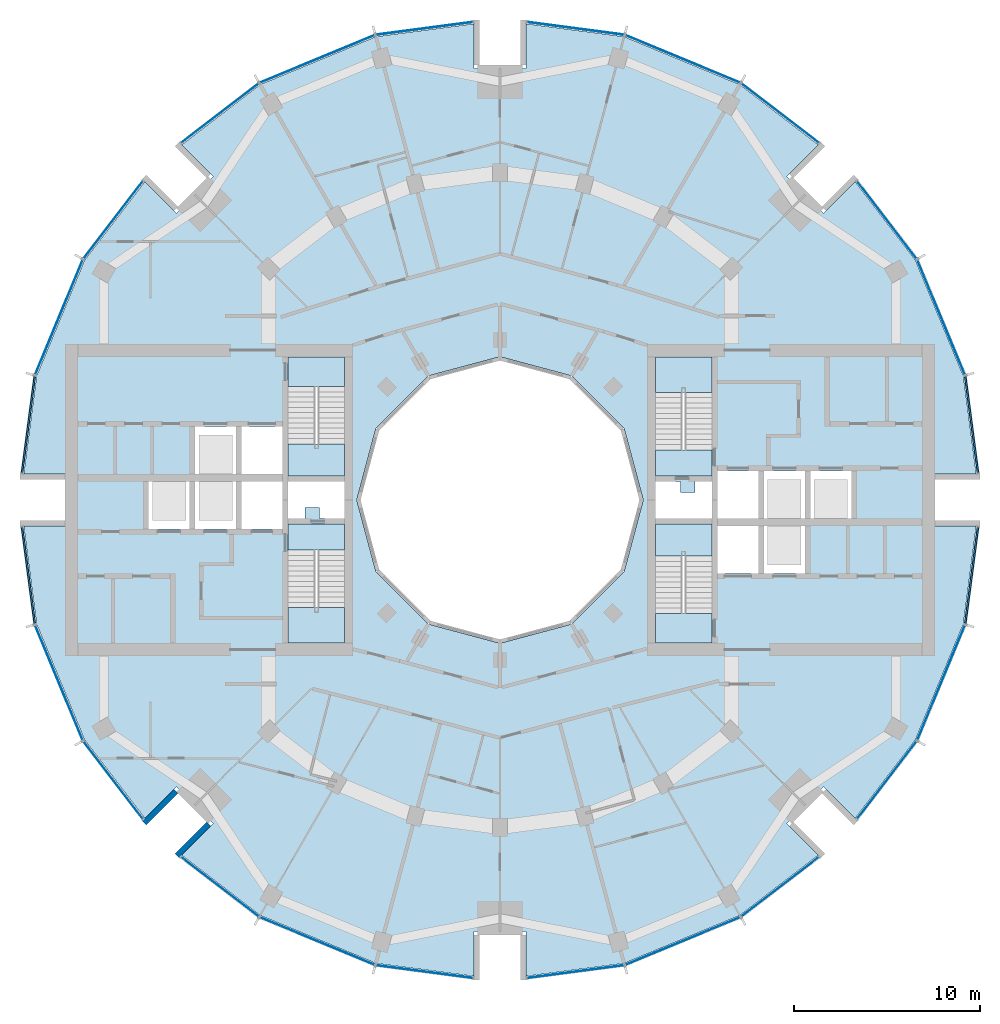
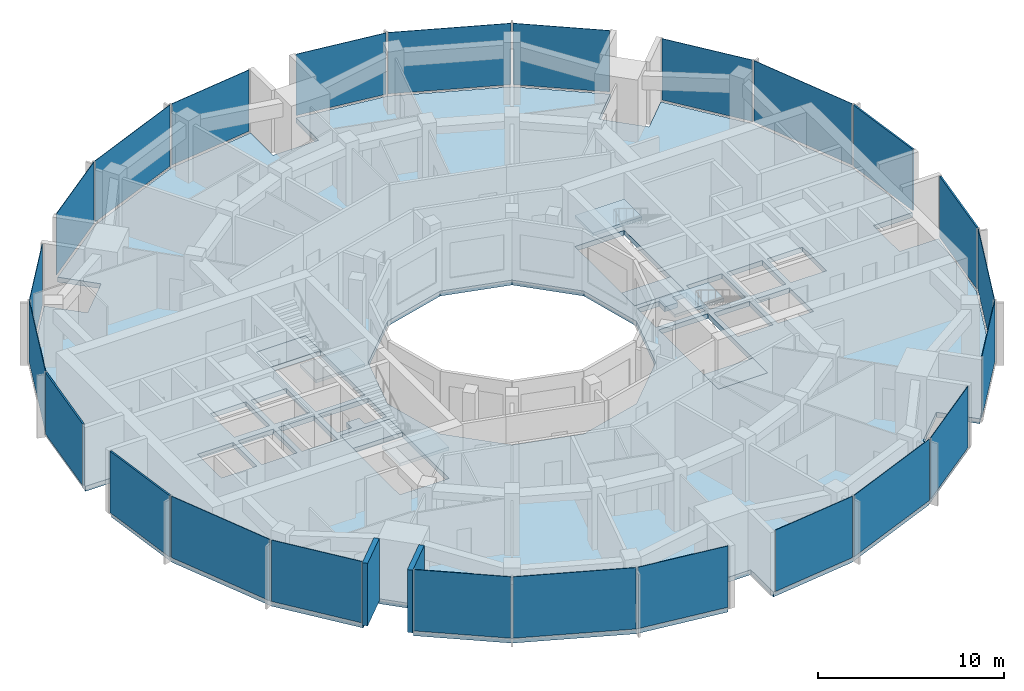
# One storey, part 7 of 15: 24 plates, 9 slabs, 2 walls, 28 elements without a shape of their own.
"""IFC4 building model written with IfcOpenShell, lengths in metres."""

from ifc_helpers import new_model, si_unit, direction, frame, frame_2d, origin, origin_2d, place, context, subcontext, project, spatial, polyline, rectangle, outline, extrude, material, layer, layer_set, type_object, element, aggregate, save


model = new_model("IFC4")

# Units and contexts
model_context = context("Model", 3, precision=1e-05, world=origin(), true_north=direction((0.0, 1.0)))
body_context = subcontext(model_context, "Body", "Model", "MODEL_VIEW")
ifc_project = project(units=[si_unit("LENGTHUNIT", "METRE"), si_unit("AREAUNIT", "SQUARE_METRE"), si_unit("VOLUMEUNIT", "CUBIC_METRE"), si_unit("PLANEANGLEUNIT", "RADIAN"), si_unit("MASSUNIT", "GRAM", prefix="KILO")], contexts=[model_context])

# Site, building, storey
site_placement = place(None, origin())
site = spatial("IfcSite", under=ifc_project, at=site_placement, CompositionType="ELEMENT")
building_placement = place(site_placement, origin())
building = spatial("IfcBuilding", under=site, at=building_placement, Name="Torre Brocal", CompositionType="ELEMENT")
storey_placement = place(building_placement, frame((0.0, 0.0, 186.39990234375)))
storey = spatial("IfcBuildingStorey", under=building, at=storey_placement, Name="L43", CompositionType="ELEMENT", Elevation=186.39990234375)

# Curtain wall, plate
ifc_material_1 = material(Name="Aluminium and glass", Category="aluminium")
ifc_layer_1 = layer(ifc_material_1, 0.199951171875)
ifc_layer_set_1 = layer_set([ifc_layer_1], Name="Aluminium and glass")
curtain_wall_type_1 = type_object("IfcCurtainWallType", Name="CW-1 CURTAIN WALL 4100 HIGH", PredefinedType="NOTDEFINED", material=ifc_layer_set_1)
curtain_wall_1_placement = place(storey_placement, origin())
curtain_wall_1 = element("IfcCurtainWall", 1, at=curtain_wall_1_placement, inside=storey, type_object=curtain_wall_type_1, Name="CW-1 RUN 2", PredefinedType="NOTDEFINED")
ifc_material_2 = material(Name="Glass, dark tinted laminated", Category="glass")
ifc_layer_2 = layer(ifc_material_2, 0.031982421875)
ifc_layer_set_2 = layer_set([ifc_layer_2], Name="Glass, dark tinted laminated")
plate_type_1 = type_object("IfcPlateType", Name="CW-1 GLASS PANEL 32", PredefinedType="CURTAIN_PANEL", material=ifc_layer_set_2)
plate_1_placement = place(storey_placement, frame((103.722900390625, 84.826416015625, 0.080078125), z_axis=(0.0, 0.0, 1.0), x_axis=(-0.382683432333, 0.923879532525, 0.0)))
plate_1 = element("IfcPlate", 2, at=plate_1_placement, type_object=plate_type_1, Name="CW1-4 panel 1.1", PredefinedType="CURTAIN_PANEL", context=body_context, shape_type="SweptSolid", body=[
    extrude(rectangle(XDim=6.64111328125, YDim=0.031982421875, at=origin_2d()), origin(), (0.0, 0.0, 1.0), 4.02001953125),
])
aggregate(curtain_wall_1, [plate_1])

curtain_wall_2_placement = place(storey_placement, origin())
curtain_wall_2 = element("IfcCurtainWall", 3, at=curtain_wall_2_placement, inside=storey, type_object=curtain_wall_type_1, Name="CW-1 RUN 3", PredefinedType="NOTDEFINED")
plate_2_placement = place(storey_placement, frame((100.80126953125, 90.0712890625, 0.080078125), z_axis=(0.0, 0.0, 1.0), x_axis=(-0.60876142905, 0.793353340259, 0.0)))
plate_2 = element("IfcPlate", 4, at=plate_2_placement, type_object=plate_type_1, Name="CW1-4 panel 1.1", PredefinedType="CURTAIN_PANEL", context=body_context, shape_type="SweptSolid", body=[
    extrude(rectangle(XDim=5.22900390625, YDim=0.031982421875, at=origin_2d()), origin(), (0.0, 0.0, 1.0), 4.02001953125),
])
aggregate(curtain_wall_2, [plate_2])

curtain_wall_3_placement = place(storey_placement, origin())
curtain_wall_3 = element("IfcCurtainWall", 5, at=curtain_wall_3_placement, inside=storey, type_object=curtain_wall_type_1, Name="CW-1 RUN 4", PredefinedType="NOTDEFINED")
plate_3_placement = place(storey_placement, frame((95.0712890625, 95.80126953125, 0.080078125), z_axis=(0.0, 0.0, 1.0), x_axis=(-0.793353340259, 0.60876142905, 0.0)))
plate_3 = element("IfcPlate", 6, at=plate_3_placement, type_object=plate_type_1, Name="CW1-4 panel 1.1", PredefinedType="CURTAIN_PANEL", context=body_context, shape_type="SweptSolid", body=[
    extrude(rectangle(XDim=5.22900390625, YDim=0.031982421875, at=origin_2d()), origin(), (0.0, 0.0, 1.0), 4.02001953125),
])
aggregate(curtain_wall_3, [plate_3])

curtain_wall_4_placement = place(storey_placement, origin())
curtain_wall_4 = element("IfcCurtainWall", 7, at=curtain_wall_4_placement, inside=storey, type_object=curtain_wall_type_1, Name="CW-1 RUN 5", PredefinedType="NOTDEFINED")
plate_4_placement = place(storey_placement, frame((89.826416015625, 98.722900390625, 0.080078125), z_axis=(0.0, 0.0, 1.0), x_axis=(-0.923879532525, 0.382683432333, 0.0)))
plate_4 = element("IfcPlate", 8, at=plate_4_placement, type_object=plate_type_1, Name="CW1-4 panel 1.1", PredefinedType="CURTAIN_PANEL", context=body_context, shape_type="SweptSolid", body=[
    extrude(rectangle(XDim=6.64111328125, YDim=0.031982421875, at=origin_2d()), origin(), (0.0, 0.0, 1.0), 4.02001953125),
])
aggregate(curtain_wall_4, [plate_4])

curtain_wall_5_placement = place(storey_placement, origin())
curtain_wall_5 = element("IfcCurtainWall", 9, at=curtain_wall_5_placement, inside=storey, type_object=curtain_wall_type_1, Name="CW-1 RUN 6", PredefinedType="NOTDEFINED")
plate_5_placement = place(storey_placement, frame((84.051513671875, 100.36572265625, 0.080078125), z_axis=(0.0, 0.0, 1.0), x_axis=(-0.991444861374, 0.13052619222, 0.0)))
plate_5 = element("IfcPlate", 10, at=plate_5_placement, type_object=plate_type_1, Name="CW1-4 panel 1.1", PredefinedType="CURTAIN_PANEL", context=body_context, shape_type="SweptSolid", body=[
    extrude(rectangle(XDim=5.22900390625, YDim=0.031982421875, at=origin_2d()), origin(), (0.0, 0.0, 1.0), 4.02001953125),
])
aggregate(curtain_wall_5, [plate_5])

curtain_wall_6_placement = place(storey_placement, origin())
curtain_wall_6 = element("IfcCurtainWall", 11, at=curtain_wall_6_placement, inside=storey, type_object=curtain_wall_type_1, Name="CW-1 RUN 7", PredefinedType="NOTDEFINED")
plate_6_placement = place(storey_placement, frame((75.948486328125, 100.36572265625, 0.080078125), z_axis=(0.0, 0.0, 1.0), x_axis=(-0.991444861374, -0.13052619222, 0.0)))
plate_6 = element("IfcPlate", 12, at=plate_6_placement, type_object=plate_type_1, Name="CW1-4 panel 1.1", PredefinedType="CURTAIN_PANEL", context=body_context, shape_type="SweptSolid", body=[
    extrude(rectangle(XDim=5.22900390625, YDim=0.031982421875, at=origin_2d()), origin(), (0.0, 0.0, 1.0), 4.02001953125),
])
aggregate(curtain_wall_6, [plate_6])

curtain_wall_7_placement = place(storey_placement, origin())
curtain_wall_7 = element("IfcCurtainWall", 13, at=curtain_wall_7_placement, inside=storey, type_object=curtain_wall_type_1, Name="CW-1 RUN 8", PredefinedType="NOTDEFINED")
plate_7_placement = place(storey_placement, frame((70.173583984375, 98.722900390625, 0.080078125), z_axis=(0.0, 0.0, 1.0), x_axis=(-0.923879532525, -0.382683432333, 0.0)))
plate_7 = element("IfcPlate", 14, at=plate_7_placement, type_object=plate_type_1, Name="CW1-4 panel 1.1", PredefinedType="CURTAIN_PANEL", context=body_context, shape_type="SweptSolid", body=[
    extrude(rectangle(XDim=6.64111328125, YDim=0.031982421875, at=origin_2d()), origin(), (0.0, 0.0, 1.0), 4.02001953125),
])
aggregate(curtain_wall_7, [plate_7])

curtain_wall_8_placement = place(storey_placement, origin())
curtain_wall_8 = element("IfcCurtainWall", 15, at=curtain_wall_8_placement, inside=storey, type_object=curtain_wall_type_1, Name="CW-1 RUN 9", PredefinedType="NOTDEFINED")
plate_8_placement = place(storey_placement, frame((64.9287109375, 95.80126953125, 0.080078125), z_axis=(0.0, 0.0, 1.0), x_axis=(-0.793353340259, -0.60876142905, 0.0)))
plate_8 = element("IfcPlate", 16, at=plate_8_placement, type_object=plate_type_1, Name="CW1-4 panel 1.1", PredefinedType="CURTAIN_PANEL", context=body_context, shape_type="SweptSolid", body=[
    extrude(rectangle(XDim=5.22900390625, YDim=0.031982421875, at=origin_2d()), origin(), (0.0, 0.0, 1.0), 4.02001953125),
])
aggregate(curtain_wall_8, [plate_8])

curtain_wall_9_placement = place(storey_placement, origin())
curtain_wall_9 = element("IfcCurtainWall", 17, at=curtain_wall_9_placement, inside=storey, type_object=curtain_wall_type_1, Name="CW-1 RUN 10", PredefinedType="NOTDEFINED")
plate_9_placement = place(storey_placement, frame((59.19873046875, 90.0712890625, 0.080078125), z_axis=(0.0, 0.0, 1.0), x_axis=(-0.60876142905, -0.793353340259, 0.0)))
plate_9 = element("IfcPlate", 18, at=plate_9_placement, type_object=plate_type_1, Name="CW1-4 panel 1.1", PredefinedType="CURTAIN_PANEL", context=body_context, shape_type="SweptSolid", body=[
    extrude(rectangle(XDim=5.22900390625, YDim=0.031982421875, at=origin_2d()), origin(), (0.0, 0.0, 1.0), 4.02001953125),
])
aggregate(curtain_wall_9, [plate_9])

curtain_wall_10_placement = place(storey_placement, origin())
curtain_wall_10 = element("IfcCurtainWall", 19, at=curtain_wall_10_placement, inside=storey, type_object=curtain_wall_type_1, Name="CW-1 RUN 11", PredefinedType="NOTDEFINED")
plate_10_placement = place(storey_placement, frame((56.277099609375, 84.826416015625, 0.080078125), z_axis=(0.0, 0.0, 1.0), x_axis=(-0.382683432333, -0.923879532525, 0.0)))
plate_10 = element("IfcPlate", 20, at=plate_10_placement, type_object=plate_type_1, Name="CW1-4 panel 1.1", PredefinedType="CURTAIN_PANEL", context=body_context, shape_type="SweptSolid", body=[
    extrude(rectangle(XDim=6.64111328125, YDim=0.031982421875, at=origin_2d()), origin(), (0.0, 0.0, 1.0), 4.02001953125),
])
aggregate(curtain_wall_10, [plate_10])

curtain_wall_11_placement = place(storey_placement, origin())
curtain_wall_11 = element("IfcCurtainWall", 21, at=curtain_wall_11_placement, inside=storey, type_object=curtain_wall_type_1, Name="CW-1 RUN 14", PredefinedType="NOTDEFINED")
plate_11_placement = place(storey_placement, frame((56.277099609375, 65.173583984375, 0.080078125), z_axis=(0.0, 0.0, 1.0), x_axis=(0.382683432333, -0.923879532525, 0.0)))
plate_11 = element("IfcPlate", 22, at=plate_11_placement, type_object=plate_type_1, Name="CW1-4 panel 1.1", PredefinedType="CURTAIN_PANEL", context=body_context, shape_type="SweptSolid", body=[
    extrude(rectangle(XDim=6.64111328125, YDim=0.031982421875, at=origin_2d()), origin(), (0.0, 0.0, 1.0), 4.02001953125),
])
aggregate(curtain_wall_11, [plate_11])

curtain_wall_12_placement = place(storey_placement, origin())
curtain_wall_12 = element("IfcCurtainWall", 23, at=curtain_wall_12_placement, inside=storey, type_object=curtain_wall_type_1, Name="CW-1 RUN 15", PredefinedType="NOTDEFINED")
plate_12_placement = place(storey_placement, frame((59.19873046875, 59.9287109375, 0.080078125), z_axis=(0.0, 0.0, 1.0), x_axis=(0.60876142905, -0.793353340259, 0.0)))
plate_12 = element("IfcPlate", 24, at=plate_12_placement, type_object=plate_type_1, Name="CW1-4 panel 1.1", PredefinedType="CURTAIN_PANEL", context=body_context, shape_type="SweptSolid", body=[
    extrude(rectangle(XDim=5.22900390625, YDim=0.031982421875, at=origin_2d()), origin(), (0.0, 0.0, 1.0), 4.02001953125),
])
aggregate(curtain_wall_12, [plate_12])

curtain_wall_13_placement = place(storey_placement, origin())
curtain_wall_13 = element("IfcCurtainWall", 25, at=curtain_wall_13_placement, inside=storey, type_object=curtain_wall_type_1, Name="CW-1 RUN 16", PredefinedType="NOTDEFINED")
plate_13_placement = place(storey_placement, frame((64.9287109375, 54.19873046875, 0.080078125), z_axis=(0.0, 0.0, 1.0), x_axis=(0.793353340259, -0.60876142905, 0.0)))
plate_13 = element("IfcPlate", 26, at=plate_13_placement, type_object=plate_type_1, Name="CW1-4 panel 1.1", PredefinedType="CURTAIN_PANEL", context=body_context, shape_type="SweptSolid", body=[
    extrude(rectangle(XDim=5.22900390625, YDim=0.031982421875, at=origin_2d()), origin(), (0.0, 0.0, 1.0), 4.02001953125),
])
aggregate(curtain_wall_13, [plate_13])

curtain_wall_14_placement = place(storey_placement, origin())
curtain_wall_14 = element("IfcCurtainWall", 27, at=curtain_wall_14_placement, inside=storey, type_object=curtain_wall_type_1, Name="CW-1 RUN 17", PredefinedType="NOTDEFINED")
plate_14_placement = place(storey_placement, frame((70.173583984375, 51.277099609375, 0.080078125), z_axis=(0.0, 0.0, 1.0), x_axis=(0.923879532525, -0.382683432333, 0.0)))
plate_14 = element("IfcPlate", 28, at=plate_14_placement, type_object=plate_type_1, Name="CW1-4 panel 1.1", PredefinedType="CURTAIN_PANEL", context=body_context, shape_type="SweptSolid", body=[
    extrude(rectangle(XDim=6.64111328125, YDim=0.031982421875, at=origin_2d()), origin(), (0.0, 0.0, 1.0), 4.02001953125),
])
aggregate(curtain_wall_14, [plate_14])

curtain_wall_15_placement = place(storey_placement, origin())
curtain_wall_15 = element("IfcCurtainWall", 29, at=curtain_wall_15_placement, inside=storey, type_object=curtain_wall_type_1, Name="CW-1 RUN 18", PredefinedType="NOTDEFINED")
plate_15_placement = place(storey_placement, frame((75.948486328125, 49.63427734375, 0.080078125), z_axis=(0.0, 0.0, 1.0), x_axis=(0.991444861374, -0.13052619222, 0.0)))
plate_15 = element("IfcPlate", 30, at=plate_15_placement, type_object=plate_type_1, Name="CW1-4 panel 1.1", PredefinedType="CURTAIN_PANEL", context=body_context, shape_type="SweptSolid", body=[
    extrude(rectangle(XDim=5.22900390625, YDim=0.031982421875, at=origin_2d()), origin(), (0.0, 0.0, 1.0), 4.02001953125),
])
aggregate(curtain_wall_15, [plate_15])

curtain_wall_16_placement = place(storey_placement, origin())
curtain_wall_16 = element("IfcCurtainWall", 31, at=curtain_wall_16_placement, inside=storey, type_object=curtain_wall_type_1, Name="CW-1 RUN 19", PredefinedType="NOTDEFINED")
plate_16_placement = place(storey_placement, frame((84.051513671875, 49.63427734375, 0.080078125), z_axis=(0.0, 0.0, 1.0), x_axis=(0.991444861374, 0.13052619222, 0.0)))
plate_16 = element("IfcPlate", 32, at=plate_16_placement, type_object=plate_type_1, Name="CW1-4 panel 1.1", PredefinedType="CURTAIN_PANEL", context=body_context, shape_type="SweptSolid", body=[
    extrude(rectangle(XDim=5.22900390625, YDim=0.031982421875, at=origin_2d()), origin(), (0.0, 0.0, 1.0), 4.02001953125),
])
aggregate(curtain_wall_16, [plate_16])

curtain_wall_17_placement = place(storey_placement, origin())
curtain_wall_17 = element("IfcCurtainWall", 33, at=curtain_wall_17_placement, inside=storey, type_object=curtain_wall_type_1, Name="CW-1 RUN 20", PredefinedType="NOTDEFINED")
plate_17_placement = place(storey_placement, frame((89.826416015625, 51.277099609375, 0.080078125), z_axis=(0.0, 0.0, 1.0), x_axis=(0.923879532525, 0.382683432333, 0.0)))
plate_17 = element("IfcPlate", 34, at=plate_17_placement, type_object=plate_type_1, Name="CW1-4 panel 1.1", PredefinedType="CURTAIN_PANEL", context=body_context, shape_type="SweptSolid", body=[
    extrude(rectangle(XDim=6.64111328125, YDim=0.031982421875, at=origin_2d()), origin(), (0.0, 0.0, 1.0), 4.02001953125),
])
aggregate(curtain_wall_17, [plate_17])

curtain_wall_18_placement = place(storey_placement, origin())
curtain_wall_18 = element("IfcCurtainWall", 35, at=curtain_wall_18_placement, inside=storey, type_object=curtain_wall_type_1, Name="CW-1 RUN 21", PredefinedType="NOTDEFINED")
plate_18_placement = place(storey_placement, frame((95.0712890625, 54.19873046875, 0.080078125), z_axis=(0.0, 0.0, 1.0), x_axis=(0.793353340259, 0.60876142905, 0.0)))
plate_18 = element("IfcPlate", 36, at=plate_18_placement, type_object=plate_type_1, Name="CW1-4 panel 1.1", PredefinedType="CURTAIN_PANEL", context=body_context, shape_type="SweptSolid", body=[
    extrude(rectangle(XDim=5.22900390625, YDim=0.031982421875, at=origin_2d()), origin(), (0.0, 0.0, 1.0), 4.02001953125),
])
aggregate(curtain_wall_18, [plate_18])

curtain_wall_19_placement = place(storey_placement, origin())
curtain_wall_19 = element("IfcCurtainWall", 37, at=curtain_wall_19_placement, inside=storey, type_object=curtain_wall_type_1, Name="CW-1 RUN 22", PredefinedType="NOTDEFINED")
plate_19_placement = place(storey_placement, frame((100.80126953125, 59.9287109375, 0.080078125), z_axis=(0.0, 0.0, 1.0), x_axis=(0.60876142905, 0.793353340259, 0.0)))
plate_19 = element("IfcPlate", 38, at=plate_19_placement, type_object=plate_type_1, Name="CW1-4 panel 1.1", PredefinedType="CURTAIN_PANEL", context=body_context, shape_type="SweptSolid", body=[
    extrude(rectangle(XDim=5.22900390625, YDim=0.031982421875, at=origin_2d()), origin(), (0.0, 0.0, 1.0), 4.02001953125),
])
aggregate(curtain_wall_19, [plate_19])

curtain_wall_20_placement = place(storey_placement, origin())
curtain_wall_20 = element("IfcCurtainWall", 39, at=curtain_wall_20_placement, inside=storey, type_object=curtain_wall_type_1, Name="CW-1 RUN 23", PredefinedType="NOTDEFINED")
plate_20_placement = place(storey_placement, frame((103.722900390625, 65.173583984375, 0.080078125), z_axis=(0.0, 0.0, 1.0), x_axis=(0.382683432333, 0.923879532525, 0.0)))
plate_20 = element("IfcPlate", 40, at=plate_20_placement, type_object=plate_type_1, Name="CW1-4 panel 1.1", PredefinedType="CURTAIN_PANEL", context=body_context, shape_type="SweptSolid", body=[
    extrude(rectangle(XDim=6.64111328125, YDim=0.031982421875, at=origin_2d()), origin(), (0.0, 0.0, 1.0), 4.02001953125),
])
aggregate(curtain_wall_20, [plate_20])

ifc_material_3 = material(Name="Aluminium and glass", Category="aluminium")
ifc_layer_3 = layer(ifc_material_3, 0.199951171875)
ifc_layer_set_3 = layer_set([ifc_layer_3], Name="Aluminium and glass")
curtain_wall_type_2 = type_object("IfcCurtainWallType", Name="CW-1B CURTAIN WALL 4100 HIGH", PredefinedType="NOTDEFINED", material=ifc_layer_set_3)
curtain_wall_21_placement = place(storey_placement, origin())
curtain_wall_21 = element("IfcCurtainWall", 41, at=curtain_wall_21_placement, inside=storey, type_object=curtain_wall_type_2, Name="CW-1B RUN 1", PredefinedType="NOTDEFINED")
ifc_material_4 = material(Name="Aluminium composite panel", Category="aluminium")
ifc_layer_4 = layer(ifc_material_4, 0.10009765625)
ifc_layer_set_4 = layer_set([ifc_layer_4], Name="Aluminium composite panel")
plate_type_2 = type_object("IfcPlateType", Name="CW-1B OPAQUE PANEL 100", PredefinedType="CURTAIN_PANEL", material=ifc_layer_set_4)
plate_21_placement = place(storey_placement, frame((105.36572265625, 79.051513671875, 0.080078125), z_axis=(0.0, 0.0, 1.0), x_axis=(-0.13052619222, 0.991444861374, 0.0)))
plate_21 = element("IfcPlate", 42, at=plate_21_placement, type_object=plate_type_2, Name="CW1B-4 panel 1.1", PredefinedType="CURTAIN_PANEL", context=body_context, shape_type="SweptSolid", body=[
    extrude(rectangle(XDim=5.22900390625, YDim=0.10009765625, at=origin_2d()), origin(), (0.0, 0.0, 1.0), 4.02001953125),
])
aggregate(curtain_wall_21, [plate_21])

curtain_wall_22_placement = place(storey_placement, origin())
curtain_wall_22 = element("IfcCurtainWall", 43, at=curtain_wall_22_placement, inside=storey, type_object=curtain_wall_type_2, Name="CW-1B RUN 12", PredefinedType="NOTDEFINED")
plate_22_placement = place(storey_placement, frame((54.63427734375, 79.051513671875, 0.080078125), z_axis=(0.0, 0.0, 1.0), x_axis=(-0.13052619222, -0.991444861374, 0.0)))
plate_22 = element("IfcPlate", 44, at=plate_22_placement, type_object=plate_type_2, Name="CW1B-4 panel 1.1", PredefinedType="CURTAIN_PANEL", context=body_context, shape_type="SweptSolid", body=[
    extrude(rectangle(XDim=5.22900390625, YDim=0.10009765625, at=origin_2d()), origin(), (0.0, 0.0, 1.0), 4.02001953125),
])
aggregate(curtain_wall_22, [plate_22])

curtain_wall_23_placement = place(storey_placement, origin())
curtain_wall_23 = element("IfcCurtainWall", 45, at=curtain_wall_23_placement, inside=storey, type_object=curtain_wall_type_2, Name="CW-1B RUN 13", PredefinedType="NOTDEFINED")
plate_23_placement = place(storey_placement, frame((54.63427734375, 70.948486328125, 0.080078125), z_axis=(0.0, 0.0, 1.0), x_axis=(0.13052619222, -0.991444861374, 0.0)))
plate_23 = element("IfcPlate", 46, at=plate_23_placement, type_object=plate_type_2, Name="CW1B-4 panel 1.1", PredefinedType="CURTAIN_PANEL", context=body_context, shape_type="SweptSolid", body=[
    extrude(rectangle(XDim=5.22900390625, YDim=0.10009765625, at=origin_2d()), origin(), (0.0, 0.0, 1.0), 4.02001953125),
])
aggregate(curtain_wall_23, [plate_23])

curtain_wall_24_placement = place(storey_placement, origin())
curtain_wall_24 = element("IfcCurtainWall", 47, at=curtain_wall_24_placement, inside=storey, type_object=curtain_wall_type_2, Name="CW-1B RUN 24", PredefinedType="NOTDEFINED")
plate_24_placement = place(storey_placement, frame((105.36572265625, 70.948486328125, 0.080078125), z_axis=(0.0, 0.0, 1.0), x_axis=(0.13052619222, 0.991444861374, 0.0)))
plate_24 = element("IfcPlate", 48, at=plate_24_placement, type_object=plate_type_2, Name="CW1B-4 panel 1.1", PredefinedType="CURTAIN_PANEL", context=body_context, shape_type="SweptSolid", body=[
    extrude(rectangle(XDim=5.22900390625, YDim=0.10009765625, at=origin_2d()), origin(), (0.0, 0.0, 1.0), 4.02001953125),
])
aggregate(curtain_wall_24, [plate_24])

# Stair, slab
ifc_material_5 = material(Name="Concrete C50", Category="concrete")
stair_type = type_object("IfcStairType", Name="EXIT STAIR", PredefinedType="HALF_TURN_STAIR", material=ifc_material_5)
stair_1_placement = place(storey_placement, origin())
stair_1 = element("IfcStair", 49, at=stair_1_placement, inside=storey, type_object=stair_type, Name="EXIT STAIR ST1", PredefinedType="HALF_TURN_STAIR")
ifc_material_6 = material(Name="Concrete C50", Category="concrete")
ifc_layer_5 = layer(ifc_material_6, 0.320068359375)
ifc_layer_set_5 = layer_set([ifc_layer_5], Name="Concrete C50")
slab_type_1 = type_object("IfcSlabType", Name="FLOOR LANDING 320", PredefinedType="LANDING", material=ifc_layer_set_5)
slab_1_placement = place(storey_placement, frame((0.0, 0.0, -0.31982421875)))
slab_1 = element("IfcSlab", 50, at=slab_1_placement, type_object=slab_type_1, Name="ST1 landing 1", PredefinedType="LANDING", context=body_context, shape_type="SweptSolid", body=[
    extrude(outline(polyline([(88.35009765625, 76.300048828125), (91.39990234375, 76.300048828125), (91.39990234375, 77.699951171875), (88.35009765625, 77.699951171875), (88.35009765625, 76.300048828125)])), origin(), (0.0, 0.0, 1.0), 0.31982421875),
])

stair_2_placement = place(storey_placement, origin())
stair_2 = element("IfcStair", 51, at=stair_2_placement, inside=storey, type_object=stair_type, Name="EXIT STAIR ST2", PredefinedType="HALF_TURN_STAIR")
slab_2_placement = place(storey_placement, frame((0.0, 0.0, -0.31982421875)))
slab_2 = element("IfcSlab", 52, at=slab_2_placement, type_object=slab_type_1, Name="ST2 landing 1", PredefinedType="LANDING", context=body_context, shape_type="SweptSolid", body=[
    extrude(outline(polyline([(88.35009765625, 67.300048828125), (91.39990234375, 67.300048828125), (91.39990234375, 68.89990234375), (88.35009765625, 68.89990234375), (88.35009765625, 67.300048828125)])), origin(), (0.0, 0.0, 1.0), 0.31982421875),
])

stair_3_placement = place(storey_placement, origin())
stair_3 = element("IfcStair", 53, at=stair_3_placement, inside=storey, type_object=stair_type, Name="EXIT STAIR ST3", PredefinedType="HALF_TURN_STAIR")
slab_3_placement = place(storey_placement, frame((0.0, 0.0, -0.31982421875)))
slab_3 = element("IfcSlab", 54, at=slab_3_placement, type_object=slab_type_1, Name="ST3 landing 1", PredefinedType="LANDING", context=body_context, shape_type="SweptSolid", body=[
    extrude(outline(polyline([(71.64990234375, 73.699951171875), (68.60009765625, 73.699951171875), (68.60009765625, 72.300048828125), (71.64990234375, 72.300048828125), (71.64990234375, 73.699951171875)])), origin(), (0.0, 0.0, 1.0), 0.31982421875),
])

stair_4_placement = place(storey_placement, origin())
stair_4 = element("IfcStair", 55, at=stair_4_placement, inside=storey, type_object=stair_type, Name="EXIT STAIR ST4", PredefinedType="HALF_TURN_STAIR")
slab_4_placement = place(storey_placement, frame((0.0, 0.0, -0.31982421875)))
slab_4 = element("IfcSlab", 56, at=slab_4_placement, type_object=slab_type_1, Name="ST4 landing 1", PredefinedType="LANDING", context=body_context, shape_type="SweptSolid", body=[
    extrude(outline(polyline([(71.64990234375, 82.699951171875), (68.60009765625, 82.699951171875), (68.60009765625, 81.10009765625), (71.64990234375, 81.10009765625), (71.64990234375, 82.699951171875)])), origin(), (0.0, 0.0, 1.0), 0.31982421875),
])

# Slab
ifc_material_7 = material(Name="Concrete C50", Category="concrete")
ifc_layer_6 = layer(ifc_material_7, 0.199951171875)
ifc_layer_set_6 = layer_set([ifc_layer_6], Name="Concrete C50")
slab_type_2 = type_object("IfcSlabType", Name="MID LANDING +2050", PredefinedType="LANDING", material=ifc_layer_set_6)
slab_5_placement = place(storey_placement, frame((0.0, 0.0, 1.85009765625)))
slab_5 = element("IfcSlab", 57, at=slab_5_placement, type_object=slab_type_2, Name="ST1 landing 2", PredefinedType="LANDING", context=body_context, shape_type="SweptSolid", body=[
    extrude(outline(polyline([(88.35009765625, 80.780029296875), (91.39990234375, 80.780029296875), (91.39990234375, 82.699951171875), (88.35009765625, 82.699951171875), (88.35009765625, 80.780029296875)])), origin(), (0.0, 0.0, 1.0), 0.199951171875),
])

aggregate(stair_1, [slab_1, slab_5])

slab_6_placement = place(storey_placement, frame((0.0, 0.0, 1.85009765625)))
slab_6 = element("IfcSlab", 58, at=slab_6_placement, type_object=slab_type_2, Name="ST2 landing 2", PredefinedType="LANDING", context=body_context, shape_type="SweptSolid", body=[
    extrude(outline(polyline([(88.35009765625, 71.97998046875), (91.39990234375, 71.97998046875), (91.39990234375, 73.699951171875), (88.35009765625, 73.699951171875), (88.35009765625, 71.97998046875)])), origin(), (0.0, 0.0, 1.0), 0.199951171875),
])

aggregate(stair_2, [slab_2, slab_6])

slab_7_placement = place(storey_placement, frame((0.0, 0.0, 1.85009765625)))
slab_7 = element("IfcSlab", 59, at=slab_7_placement, type_object=slab_type_2, Name="ST3 landing 2", PredefinedType="LANDING", context=body_context, shape_type="SweptSolid", body=[
    extrude(outline(polyline([(71.64990234375, 69.219970703125), (68.60009765625, 69.219970703125), (68.60009765625, 67.300048828125), (71.64990234375, 67.300048828125), (71.64990234375, 69.219970703125)])), origin(), (0.0, 0.0, 1.0), 0.199951171875),
])

aggregate(stair_3, [slab_3, slab_7])

slab_8_placement = place(storey_placement, frame((0.0, 0.0, 1.85009765625)))
slab_8 = element("IfcSlab", 60, at=slab_8_placement, type_object=slab_type_2, Name="ST4 landing 2", PredefinedType="LANDING", context=body_context, shape_type="SweptSolid", body=[
    extrude(outline(polyline([(71.64990234375, 78.02001953125), (68.60009765625, 78.02001953125), (68.60009765625, 76.300048828125), (71.64990234375, 76.300048828125), (71.64990234375, 78.02001953125)])), origin(), (0.0, 0.0, 1.0), 0.199951171875),
])

aggregate(stair_4, [slab_4, slab_8])

ifc_material_8 = material(Name="Concrete C45", Category="concrete")
ifc_layer_7 = layer(ifc_material_8, 0.320068359375)
ifc_layer_set_7 = layer_set([ifc_layer_7], Name="Concrete C45")
slab_type_3 = type_object("IfcSlabType", Name="PT FLOOR SLAB 320 C45", PredefinedType="FLOOR", material=ifc_layer_set_7)
slab_9_placement = place(storey_placement, frame((0.0, 0.0, -0.31982421875)))
element("IfcSlab", 61, at=slab_9_placement, inside=storey, type_object=slab_type_3, Name="Slab ST-05", PredefinedType="FLOOR", context=body_context, shape_type="SweptSolid", body=[
    extrude(outline(polyline([(103.199951171875, 76.39990234375), (103.199951171875, 73.60009765625), (105.614013671875, 73.60009765625), (104.919189453125, 68.322998046875), (102.342041015625, 62.100830078125), (99.101806640625, 57.878173828125), (97.394775390625, 59.5849609375), (95.4150390625, 57.605224609375), (97.121826171875, 55.898193359375), (92.899169921875, 52.657958984375), (86.677001953125, 50.080810546875), (81.39990234375, 49.385986328125), (81.39990234375, 51.800048828125), (78.60009765625, 51.800048828125), (78.60009765625, 49.385986328125), (73.322998046875, 50.080810546875), (67.100830078125, 52.657958984375), (62.878173828125, 55.898193359375), (64.5849609375, 57.605224609375), (62.605224609375, 59.5849609375), (60.898193359375, 57.878173828125), (57.657958984375, 62.100830078125), (55.080810546875, 68.322998046875), (54.385986328125, 73.60009765625), (56.800048828125, 73.60009765625), (56.800048828125, 76.39990234375), (54.385986328125, 76.39990234375), (55.080810546875, 81.677001953125), (57.657958984375, 87.899169921875), (60.898193359375, 92.121826171875), (62.605224609375, 90.4150390625), (64.5849609375, 92.394775390625), (62.878173828125, 94.101806640625), (67.100830078125, 97.342041015625), (73.322998046875, 99.919189453125), (78.60009765625, 100.614013671875), (78.60009765625, 98.199951171875), (81.39990234375, 98.199951171875), (81.39990234375, 100.614013671875), (86.677001953125, 99.919189453125), (92.899169921875, 97.342041015625), (97.121826171875, 94.101806640625), (95.4150390625, 92.394775390625), (97.394775390625, 90.4150390625), (99.101806640625, 92.121826171875), (102.342041015625, 87.899169921875), (104.919189453125, 81.677001953125), (105.614013671875, 76.39990234375), (103.199951171875, 76.39990234375)]), holes=[polyline([(98.89990234375, 76.550048828125), (96.699951171875, 76.550048828125), (96.699951171875, 74.0), (98.89990234375, 74.0), (98.89990234375, 76.550048828125)]), polyline([(96.39990234375, 76.550048828125), (94.199951171875, 76.550048828125), (94.199951171875, 74.0), (96.39990234375, 74.0), (96.39990234375, 76.550048828125)]), polyline([(96.39990234375, 73.60009765625), (94.199951171875, 73.60009765625), (94.199951171875, 71.050048828125), (96.39990234375, 71.050048828125), (96.39990234375, 73.60009765625)]), polyline([(93.89990234375, 76.550048828125), (91.699951171875, 76.550048828125), (91.699951171875, 74.0), (93.89990234375, 74.0), (93.89990234375, 76.550048828125)]), polyline([(93.89990234375, 73.60009765625), (91.699951171875, 73.60009765625), (91.699951171875, 71.050048828125), (93.89990234375, 71.050048828125), (93.89990234375, 73.60009765625)]), polyline([(89.699951171875, 76.0), (88.35009765625, 76.0), (88.35009765625, 74.0), (91.39990234375, 74.0), (91.39990234375, 76.0), (90.5, 76.0), (90.5, 75.39990234375), (89.699951171875, 75.39990234375), (89.699951171875, 76.0)]), polyline([(91.39990234375, 82.699951171875), (88.35009765625, 82.699951171875), (88.35009765625, 76.300048828125), (91.39990234375, 76.300048828125), (91.39990234375, 82.699951171875)]), polyline([(91.39990234375, 73.699951171875), (88.35009765625, 73.699951171875), (88.35009765625, 67.300048828125), (91.39990234375, 67.300048828125), (91.39990234375, 73.699951171875)]), polyline([(80.0, 82.70703125), (76.146484375, 81.674560546875), (73.325439453125, 78.853515625), (72.29296875, 75.0), (73.325439453125, 71.146484375), (76.146484375, 68.325439453125), (80.0, 67.29296875), (83.853515625, 68.325439453125), (86.674560546875, 71.146484375), (87.70703125, 75.0), (86.674560546875, 78.853515625), (83.853515625, 81.674560546875), (80.0, 82.70703125)]), polyline([(70.300048828125, 74.0), (71.64990234375, 74.0), (71.64990234375, 76.0), (68.60009765625, 76.0), (68.60009765625, 74.0), (69.5, 74.0), (69.5, 74.60009765625), (70.300048828125, 74.60009765625), (70.300048828125, 74.0)]), polyline([(68.60009765625, 76.300048828125), (71.64990234375, 76.300048828125), (71.64990234375, 82.699951171875), (68.60009765625, 82.699951171875), (68.60009765625, 76.300048828125)]), polyline([(68.60009765625, 67.300048828125), (71.64990234375, 67.300048828125), (71.64990234375, 73.699951171875), (68.60009765625, 73.699951171875), (68.60009765625, 67.300048828125)]), polyline([(66.10009765625, 76.39990234375), (68.300048828125, 76.39990234375), (68.300048828125, 78.949951171875), (66.10009765625, 78.949951171875), (66.10009765625, 76.39990234375)]), polyline([(66.10009765625, 73.449951171875), (68.300048828125, 73.449951171875), (68.300048828125, 76.0), (66.10009765625, 76.0), (66.10009765625, 73.449951171875)]), polyline([(63.60009765625, 76.39990234375), (65.800048828125, 76.39990234375), (65.800048828125, 78.949951171875), (63.60009765625, 78.949951171875), (63.60009765625, 76.39990234375)]), polyline([(63.60009765625, 73.449951171875), (65.800048828125, 73.449951171875), (65.800048828125, 76.0), (63.60009765625, 76.0), (63.60009765625, 73.449951171875)]), polyline([(61.10009765625, 73.449951171875), (63.300048828125, 73.449951171875), (63.300048828125, 76.0), (61.10009765625, 76.0), (61.10009765625, 73.449951171875)])]), origin(), (0.0, 0.0, 1.0), 0.31982421875),
])

# Walls
ifc_material_9 = material(Name="Concrete C70", Category="concrete")
ifc_layer_8 = layer(ifc_material_9, 0.300048828125)
ifc_layer_set_8 = layer_set([ifc_layer_8], Name="Concrete C70")
wall_type = type_object("IfcWallType", Name="NOTCH RETURN WALL 300 C70", PredefinedType="NOTDEFINED", material=ifc_layer_set_8)
for number, where, z_axis, x_axis, name in (
    (62, (62.56982421875, 59.337646484375, 0.0), (0.0, 0.0, 1.0), (-0.707106781187, -0.707106781187, 0.0), "NOTCH RETURN WALL"),
    (63, (64.337646484375, 57.56982421875, 0.0), (0.0, 0.0, 1.0), (-0.707106781187, -0.707106781187, 0.0), "NOTCH RETURN WALL"),
):
    element("IfcWall", number, at=place(storey_placement, frame(where, z_axis=z_axis, x_axis=x_axis)), inside=storey, type_object=wall_type, Name=name, PredefinedType="NOTDEFINED", context=body_context, shape_type="SweptSolid", body=[
        extrude(rectangle(XDim=2.415771484375, YDim=0.300048828125, at=frame_2d((1.2080078125, 0.0))), origin(), (0.0, 0.0, 1.0), 4.10009765625),
    ])

save(model, "model.ifc")
